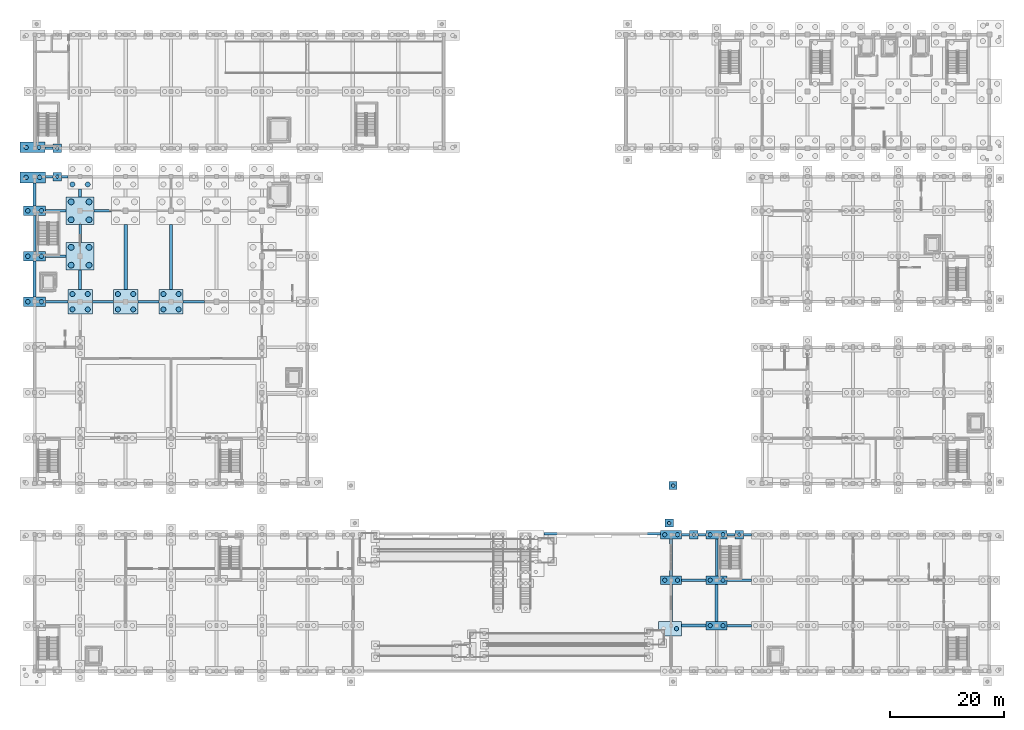
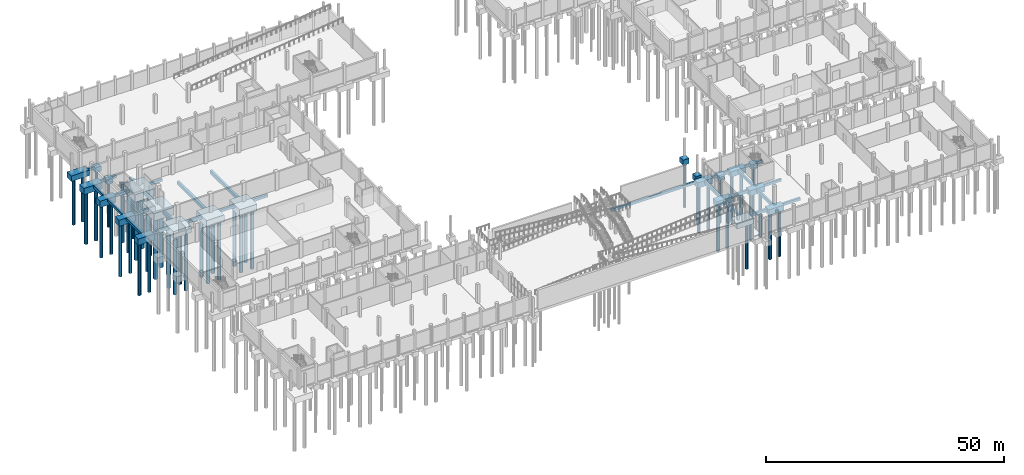
# One storey, part 5 of 52: 53 footings, 49 piles.
"""IFC4 building model written with IfcOpenShell, lengths in metres."""

from ifc_helpers import new_model, si_unit, direction, frame, origin, origin_2d, place, context, subcontext, project, spatial, polyline, rectangle, circle, outline, extrude, material, material_profile, profile_set, type_object, element, save


model = new_model("IFC4")

# Units and contexts
model_context = context("Model", 3, precision=1e-05, world=origin(), true_north=direction((0.0, 1.0)))
body_context = subcontext(model_context, "Body", "Model", "MODEL_VIEW")
ifc_project = project(units=[si_unit("LENGTHUNIT", "METRE"), si_unit("AREAUNIT", "SQUARE_METRE"), si_unit("VOLUMEUNIT", "CUBIC_METRE"), si_unit("PLANEANGLEUNIT", "RADIAN"), si_unit("MASSUNIT", "GRAM", prefix="KILO")], contexts=[model_context])

# Site, building, storey
site_placement = place(None, origin())
site = spatial("IfcSite", under=ifc_project, at=site_placement, CompositionType="ELEMENT")
building_placement = place(site_placement, origin())
building = spatial("IfcBuilding", under=site, at=building_placement, Name="Luwemba Playhouse", CompositionType="ELEMENT")
storey_placement = place(building_placement, frame((0.0, 0.0, -4.800048828125)))
storey = spatial("IfcBuildingStorey", under=building, at=storey_placement, Name="B1", CompositionType="ELEMENT", Elevation=-4.800048828125)

# Footings
ifc_material = material(Name="Concrete C32/40", Category="concrete")
ifc_material_profile_1 = material_profile(ifc_material, rectangle(XDim=0.449951171875, YDim=0.64990234375, at=origin_2d()))
ifc_profile_set_1 = profile_set([ifc_material_profile_1], Name="Concrete C32/40")
footing_type_1 = type_object("IfcFootingType", Name="FTBM-GB1", PredefinedType="FOOTING_BEAM", material=ifc_profile_set_1)
for number, where, z_axis, x_axis, name in (
    (1, (125.85009765625, 11.0, -0.704833984375), (1.0, 0.0, 0.0), (0.0, 1.0, 0.0), "Ground tie-beam 037"),
    (2, (125.85009765625, 19.0, -0.704833984375), (1.0, 0.0, 0.0), (0.0, 1.0, 0.0), "Ground tie-beam 051"),
):
    element("IfcFooting", number, at=place(storey_placement, frame(where, z_axis=z_axis, x_axis=x_axis)), inside=storey, type_object=footing_type_1, Name=name, PredefinedType="FOOTING_BEAM", context=body_context, shape_type="SweptSolid", body=[
        extrude(rectangle(XDim=0.449951171875, YDim=0.64990234375, at=origin_2d()), origin(), (0.0, 0.0, 1.0), 4.2998046875),
    ])
for number, where, z_axis, x_axis, name in (
    (3, (117.85009765625, 27.0, -0.704833984375), (1.0, 0.0, 0.0), (0.0, 1.0, 0.0), "Ground tie-beam 071"),
    (4, (125.85009765625, 27.0, -0.704833984375), (1.0, 0.0, 0.0), (0.0, 1.0, 0.0), "Ground tie-beam 073"),
):
    element("IfcFooting", number, at=place(storey_placement, frame(where, z_axis=z_axis, x_axis=x_axis)), inside=storey, type_object=footing_type_1, Name=name, PredefinedType="FOOTING_BEAM", context=body_context, shape_type="SweptSolid", body=[
        extrude(rectangle(XDim=0.449951171875, YDim=0.64990234375, at=origin_2d()), origin(), (0.0, 0.0, 1.0), 1.4248046875),
    ])
footing_1_placement = place(storey_placement, frame((5.949951171875, 68.0, -0.704833984375), z_axis=(1.0, 0.0, 0.0), x_axis=(0.0, 1.0, 0.0)))
element("IfcFooting", 5, at=footing_1_placement, inside=storey, type_object=footing_type_1, Name="Ground tie-beam 137", PredefinedType="FOOTING_BEAM", context=body_context, shape_type="SweptSolid", body=[
    extrude(rectangle(XDim=0.449951171875, YDim=0.64990234375, at=origin_2d()), origin(), (0.0, 0.0, 1.0), 3.900146484375),
])
footing_2_placement = place(storey_placement, frame((22.14990234375, 68.0, -0.704833984375), z_axis=(1.0, 0.0, 0.0), x_axis=(0.0, 1.0, 0.0)))
element("IfcFooting", 6, at=footing_2_placement, inside=storey, type_object=footing_type_1, Name="Ground tie-beam 139", PredefinedType="FOOTING_BEAM", context=body_context, shape_type="SweptSolid", body=[
    extrude(rectangle(XDim=0.449951171875, YDim=0.64990234375, at=origin_2d()), origin(), (0.0, 0.0, 1.0), 3.7001953125),
])
footing_3_placement = place(storey_placement, frame((5.949951171875, 76.0, -0.704833984375), z_axis=(1.0, 0.0, 0.0), x_axis=(0.0, 1.0, 0.0)))
element("IfcFooting", 7, at=footing_3_placement, inside=storey, type_object=footing_type_1, Name="Ground tie-beam 153", PredefinedType="FOOTING_BEAM", context=body_context, shape_type="SweptSolid", body=[
    extrude(rectangle(XDim=0.449951171875, YDim=0.64990234375, at=origin_2d()), origin(), (0.0, 0.0, 1.0), 3.60009765625),
])
footing_4_placement = place(storey_placement, frame((14.449951171875, 84.0, -0.704833984375), z_axis=(1.0, 0.0, 0.0), x_axis=(0.0, 1.0, 0.0)))
element("IfcFooting", 8, at=footing_4_placement, inside=storey, type_object=footing_type_1, Name="Ground tie-beam 161", PredefinedType="FOOTING_BEAM", context=body_context, shape_type="SweptSolid", body=[
    extrude(rectangle(XDim=0.449951171875, YDim=0.64990234375, at=origin_2d()), origin(), (0.0, 0.0, 1.0), 3.10009765625),
])
footing_5_placement = place(storey_placement, frame((5.949951171875, 90.0, -0.704833984375), z_axis=(1.0, 0.0, 0.0), x_axis=(0.0, 1.0, 0.0)))
element("IfcFooting", 9, at=footing_5_placement, inside=storey, type_object=footing_type_1, Name="Ground tie-beam 171", PredefinedType="FOOTING_BEAM", context=body_context, shape_type="SweptSolid", body=[
    extrude(rectangle(XDim=0.449951171875, YDim=0.64990234375, at=origin_2d()), origin(), (0.0, 0.0, 1.0), 1.324951171875),
])
footing_6_placement = place(storey_placement, frame((5.85009765625, 95.0, -0.704833984375), z_axis=(1.0, 0.0, 0.0), x_axis=(0.0, 1.0, 0.0)))
element("IfcFooting", 10, at=footing_6_placement, inside=storey, type_object=footing_type_1, Name="Ground tie-beam 191", PredefinedType="FOOTING_BEAM", context=body_context, shape_type="SweptSolid", body=[
    extrude(rectangle(XDim=0.449951171875, YDim=0.64990234375, at=origin_2d()), origin(), (0.0, 0.0, 1.0), 1.4248046875),
])
footing_7_placement = place(storey_placement, frame((4.0, 76.824951171875, -0.704833984375), z_axis=(0.0, 1.0, 0.0), x_axis=(-1.0, 0.0, 0.0)))
element("IfcFooting", 11, at=footing_7_placement, inside=storey, type_object=footing_type_1, Name="Ground tie-beam 277", PredefinedType="FOOTING_BEAM", context=body_context, shape_type="SweptSolid", body=[
    extrude(rectangle(XDim=0.449951171875, YDim=0.64990234375, at=origin_2d()), origin(), (0.0, 0.0, 1.0), 6.35009765625),
])
footing_8_placement = place(storey_placement, frame((12.0, 78.449951171875, -0.704833984375), z_axis=(0.0, 1.0, 0.0), x_axis=(-1.0, 0.0, 0.0)))
element("IfcFooting", 12, at=footing_8_placement, inside=storey, type_object=footing_type_1, Name="Ground tie-beam 289", PredefinedType="FOOTING_BEAM", context=body_context, shape_type="SweptSolid", body=[
    extrude(rectangle(XDim=0.449951171875, YDim=0.64990234375, at=origin_2d()), origin(), (0.0, 0.0, 1.0), 3.10009765625),
])
for number, where, z_axis, x_axis, name in (
    (13, (116.0, 11.77490234375, -0.704833984375), (0.0, 1.0, 0.0), (-1.0, 0.0, 0.0), "Ground tie-beam 353"),
    (14, (124.0, 19.77490234375, -0.704833984375), (0.0, 1.0, 0.0), (-1.0, 0.0, 0.0), "Ground tie-beam 359"),
):
    element("IfcFooting", number, at=place(storey_placement, frame(where, z_axis=z_axis, x_axis=x_axis)), inside=storey, type_object=footing_type_1, Name=name, PredefinedType="FOOTING_BEAM", context=body_context, shape_type="SweptSolid", body=[
        extrude(rectangle(XDim=0.449951171875, YDim=0.64990234375, at=origin_2d()), origin(), (0.0, 0.0, 1.0), 6.4501953125),
    ])
footing_9_placement = place(storey_placement, frame((93.625, 27.14990234375, -0.704833984375), z_axis=(1.0, 0.0, 0.0), x_axis=(0.0, 1.0, 0.0)))
element("IfcFooting", 15, at=footing_9_placement, inside=storey, type_object=footing_type_1, Name="B1 Sunken Metro Forecourt north retaining wall footing beam 2", PredefinedType="FOOTING_BEAM", context=body_context, shape_type="SweptSolid", body=[
    extrude(rectangle(XDim=0.449951171875, YDim=0.64990234375, at=origin_2d()), origin(), (0.0, 0.0, 1.0), 20.52490234375),
])
ifc_material_profile_2 = material_profile(ifc_material, rectangle(XDim=0.5, YDim=0.699951171875, at=origin_2d()))
ifc_profile_set_2 = profile_set([ifc_material_profile_2], Name="Concrete C32/40")
footing_type_2 = type_object("IfcFootingType", Name="FTBM-GB2", PredefinedType="FOOTING_BEAM", material=ifc_profile_set_2)
for number, where, z_axis, x_axis, name in (
    (16, (117.85009765625, 11.0, -0.72998046875), (1.0, 0.0, 0.0), (0.0, 1.0, 0.0), "Ground tie-beam 036"),
    (17, (117.85009765625, 19.0, -0.72998046875), (1.0, 0.0, 0.0), (0.0, 1.0, 0.0), "Ground tie-beam 050"),
):
    element("IfcFooting", number, at=place(storey_placement, frame(where, z_axis=z_axis, x_axis=x_axis)), inside=storey, type_object=footing_type_2, Name=name, PredefinedType="FOOTING_BEAM", context=body_context, shape_type="SweptSolid", body=[
        extrude(rectangle(XDim=0.5, YDim=0.699951171875, at=origin_2d()), origin(), (0.0, 0.0, 1.0), 4.2998046875),
    ])
for number, where, z_axis, x_axis, name in (
    (18, (120.72509765625, 27.0, -0.72998046875), (1.0, 0.0, 0.0), (0.0, 1.0, 0.0), "Ground tie-beam 072"),
    (19, (128.72509765625, 27.0, -0.72998046875), (1.0, 0.0, 0.0), (0.0, 1.0, 0.0), "Ground tie-beam 074"),
):
    element("IfcFooting", number, at=place(storey_placement, frame(where, z_axis=z_axis, x_axis=x_axis)), inside=storey, type_object=footing_type_2, Name=name, PredefinedType="FOOTING_BEAM", context=body_context, shape_type="SweptSolid", body=[
        extrude(rectangle(XDim=0.5, YDim=0.699951171875, at=origin_2d()), origin(), (0.0, 0.0, 1.0), 1.4248046875),
    ])
for number, where, z_axis, x_axis, name in (
    (20, (14.14990234375, 68.0, -0.72998046875), (1.0, 0.0, 0.0), (0.0, 1.0, 0.0), "Ground tie-beam 138"),
    (21, (30.14990234375, 68.0, -0.72998046875), (1.0, 0.0, 0.0), (0.0, 1.0, 0.0), "Ground tie-beam 140"),
):
    element("IfcFooting", number, at=place(storey_placement, frame(where, z_axis=z_axis, x_axis=x_axis)), inside=storey, type_object=footing_type_2, Name=name, PredefinedType="FOOTING_BEAM", context=body_context, shape_type="SweptSolid", body=[
        extrude(rectangle(XDim=0.5, YDim=0.699951171875, at=origin_2d()), origin(), (0.0, 0.0, 1.0), 3.7001953125),
    ])
footing_10_placement = place(storey_placement, frame((5.949951171875, 84.0, -0.72998046875), z_axis=(1.0, 0.0, 0.0), x_axis=(0.0, 1.0, 0.0)))
element("IfcFooting", 22, at=footing_10_placement, inside=storey, type_object=footing_type_2, Name="Ground tie-beam 160", PredefinedType="FOOTING_BEAM", context=body_context, shape_type="SweptSolid", body=[
    extrude(rectangle(XDim=0.5, YDim=0.699951171875, at=origin_2d()), origin(), (0.0, 0.0, 1.0), 3.60009765625),
])
footing_11_placement = place(storey_placement, frame((8.72509765625, 90.0, -0.72998046875), z_axis=(1.0, 0.0, 0.0), x_axis=(0.0, 1.0, 0.0)))
element("IfcFooting", 23, at=footing_11_placement, inside=storey, type_object=footing_type_2, Name="Ground tie-beam 172", PredefinedType="FOOTING_BEAM", context=body_context, shape_type="SweptSolid", body=[
    extrude(rectangle(XDim=0.5, YDim=0.699951171875, at=origin_2d()), origin(), (0.0, 0.0, 1.0), 1.125),
])
footing_12_placement = place(storey_placement, frame((4.0, 68.824951171875, -0.72998046875), z_axis=(0.0, 1.0, 0.0), x_axis=(-1.0, 0.0, 0.0)))
element("IfcFooting", 24, at=footing_12_placement, inside=storey, type_object=footing_type_2, Name="Ground tie-beam 276", PredefinedType="FOOTING_BEAM", context=body_context, shape_type="SweptSolid", body=[
    extrude(rectangle(XDim=0.5, YDim=0.699951171875, at=origin_2d()), origin(), (0.0, 0.0, 1.0), 6.35009765625),
])
footing_13_placement = place(storey_placement, frame((4.0, 84.824951171875, -0.72998046875), z_axis=(0.0, 1.0, 0.0), x_axis=(-1.0, 0.0, 0.0)))
element("IfcFooting", 25, at=footing_13_placement, inside=storey, type_object=footing_type_2, Name="Ground tie-beam 278", PredefinedType="FOOTING_BEAM", context=body_context, shape_type="SweptSolid", body=[
    extrude(rectangle(XDim=0.5, YDim=0.699951171875, at=origin_2d()), origin(), (0.0, 0.0, 1.0), 4.10009765625),
])
footing_14_placement = place(storey_placement, frame((12.0, 70.14990234375, -0.72998046875), z_axis=(0.0, 1.0, 0.0), x_axis=(-1.0, 0.0, 0.0)))
element("IfcFooting", 26, at=footing_14_placement, inside=storey, type_object=footing_type_2, Name="Ground tie-beam 288", PredefinedType="FOOTING_BEAM", context=body_context, shape_type="SweptSolid", body=[
    extrude(rectangle(XDim=0.5, YDim=0.699951171875, at=origin_2d()), origin(), (0.0, 0.0, 1.0), 3.400146484375),
])
footing_15_placement = place(storey_placement, frame((12.0, 86.449951171875, -0.72998046875), z_axis=(0.0, 1.0, 0.0), x_axis=(-1.0, 0.0, 0.0)))
element("IfcFooting", 27, at=footing_15_placement, inside=storey, type_object=footing_type_2, Name="Ground tie-beam 290", PredefinedType="FOOTING_BEAM", context=body_context, shape_type="SweptSolid", body=[
    extrude(rectangle(XDim=0.5, YDim=0.699951171875, at=origin_2d()), origin(), (0.0, 0.0, 1.0), 1.400146484375),
])
for number, where, z_axis, x_axis, name in (
    (28, (116.0, 19.77490234375, -0.72998046875), (0.0, 1.0, 0.0), (-1.0, 0.0, 0.0), "Ground tie-beam 354"),
    (29, (124.0, 11.77490234375, -0.72998046875), (0.0, 1.0, 0.0), (-1.0, 0.0, 0.0), "Ground tie-beam 358"),
):
    element("IfcFooting", number, at=place(storey_placement, frame(where, z_axis=z_axis, x_axis=x_axis)), inside=storey, type_object=footing_type_2, Name=name, PredefinedType="FOOTING_BEAM", context=body_context, shape_type="SweptSolid", body=[
        extrude(rectangle(XDim=0.5, YDim=0.699951171875, at=origin_2d()), origin(), (0.0, 0.0, 1.0), 6.4501953125),
    ])
ifc_material_profile_3 = material_profile(ifc_material, rectangle(XDim=0.60009765625, YDim=0.800048828125, at=origin_2d()))
ifc_profile_set_3 = profile_set([ifc_material_profile_3], Name="Concrete C32/40")
footing_type_3 = type_object("IfcFootingType", Name="FTBM-GB3", PredefinedType="FOOTING_BEAM", material=ifc_profile_set_3)
for number, where, z_axis, x_axis, name in (
    (30, (20.0, 70.14990234375, -0.780029296875), (0.0, 1.0, 0.0), (-1.0, 0.0, 0.0), "Ground tie-beam 297"),
    (31, (28.0, 70.14990234375, -0.780029296875), (0.0, 1.0, 0.0), (-1.0, 0.0, 0.0), "Ground tie-beam 305"),
):
    element("IfcFooting", number, at=place(storey_placement, frame(where, z_axis=z_axis, x_axis=x_axis)), inside=storey, type_object=footing_type_3, Name=name, PredefinedType="FOOTING_BEAM", context=body_context, shape_type="SweptSolid", body=[
        extrude(rectangle(XDim=0.60009765625, YDim=0.800048828125, at=origin_2d()), origin(), (0.0, 0.0, 1.0), 11.400146484375),
    ])
footing_type_4 = type_object("IfcFootingType", Name="FTG-PC02", PredefinedType="PILE_CAP", material=ifc_material)
footing_16_placement = place(storey_placement, frame((0.0, 0.0, -1.679931640625)))
element("IfcFooting", 32, at=footing_16_placement, inside=storey, type_object=footing_type_4, Name="Pile cap 115", PredefinedType="PILE_CAP", context=body_context, shape_type="SweptSolid", body=[
    extrude(outline(polyline([(119.27490234375, 26.27490234375), (120.72509765625, 26.27490234375), (120.72509765625, 27.72509765625), (119.27490234375, 27.72509765625), (119.27490234375, 26.27490234375)])), origin(), (0.0, 0.0, 1.0), 1.300048828125),
])
footing_17_placement = place(storey_placement, frame((0.0, 0.0, -1.679931640625)))
element("IfcFooting", 33, at=footing_17_placement, inside=storey, type_object=footing_type_4, Name="Pile cap 116", PredefinedType="PILE_CAP", context=body_context, shape_type="SweptSolid", body=[
    extrude(outline(polyline([(127.27490234375, 26.27490234375), (128.72509765625, 26.27490234375), (128.72509765625, 27.72509765625), (127.27490234375, 27.72509765625), (127.27490234375, 26.27490234375)])), origin(), (0.0, 0.0, 1.0), 1.300048828125),
])
footing_18_placement = place(storey_placement, frame((0.0, 0.0, -1.679931640625)))
element("IfcFooting", 34, at=footing_18_placement, inside=storey, type_object=footing_type_4, Name="Pile cap 124", PredefinedType="PILE_CAP", context=body_context, shape_type="SweptSolid", body=[
    extrude(outline(polyline([(114.925048828125, 28.324951171875), (116.375, 28.324951171875), (116.375, 29.77490234375), (114.925048828125, 29.77490234375), (114.925048828125, 28.324951171875)])), origin(), (0.0, 0.0, 1.0), 1.300048828125),
])
footing_19_placement = place(storey_placement, frame((0.0, 0.0, -1.679931640625)))
element("IfcFooting", 35, at=footing_19_placement, inside=storey, type_object=footing_type_4, Name="Pile cap 132", PredefinedType="PILE_CAP", context=body_context, shape_type="SweptSolid", body=[
    extrude(outline(polyline([(115.625, 34.925048828125), (117.074951171875, 34.925048828125), (117.074951171875, 36.375), (115.625, 36.375), (115.625, 34.925048828125)])), origin(), (0.0, 0.0, 1.0), 1.300048828125),
])
footing_20_placement = place(storey_placement, frame((0.0, 0.0, -1.679931640625)))
element("IfcFooting", 36, at=footing_20_placement, inside=storey, type_object=footing_type_4, Name="Pile cap 247", PredefinedType="PILE_CAP", context=body_context, shape_type="SweptSolid", body=[
    extrude(outline(polyline([(7.27490234375, 89.27490234375), (8.72509765625, 89.27490234375), (8.72509765625, 90.72509765625), (7.27490234375, 90.72509765625), (7.27490234375, 89.27490234375)])), origin(), (0.0, 0.0, 1.0), 1.300048828125),
])
footing_21_placement = place(storey_placement, frame((0.0, 0.0, -1.679931640625)))
element("IfcFooting", 37, at=footing_21_placement, inside=storey, type_object=footing_type_4, Name="Pile cap 276", PredefinedType="PILE_CAP", context=body_context, shape_type="SweptSolid", body=[
    extrude(outline(polyline([(7.27490234375, 94.27490234375), (8.72509765625, 94.27490234375), (8.72509765625, 95.72509765625), (7.27490234375, 95.72509765625), (7.27490234375, 94.27490234375)])), origin(), (0.0, 0.0, 1.0), 1.300048828125),
])
footing_type_5 = type_object("IfcFootingType", Name="FTG-PC04", PredefinedType="PILE_CAP", material=ifc_material)
footing_22_placement = place(storey_placement, frame((0.0, 0.0, -1.97998046875)))
element("IfcFooting", 38, at=footing_22_placement, inside=storey, type_object=footing_type_5, Name="Pile cap 199", PredefinedType="PILE_CAP", context=body_context, shape_type="SweptSolid", body=[
    extrude(outline(polyline([(2.050048828125, 67.175048828125), (5.949951171875, 67.175048828125), (5.949951171875, 68.824951171875), (2.050048828125, 68.824951171875), (2.050048828125, 67.175048828125)])), origin(), (0.0, 0.0, 1.0), 1.60009765625),
])
footing_23_placement = place(storey_placement, frame((0.0, 0.0, -1.97998046875)))
element("IfcFooting", 39, at=footing_23_placement, inside=storey, type_object=footing_type_5, Name="Pile cap 214", PredefinedType="PILE_CAP", context=body_context, shape_type="SweptSolid", body=[
    extrude(outline(polyline([(2.050048828125, 75.175048828125), (5.949951171875, 75.175048828125), (5.949951171875, 76.824951171875), (2.050048828125, 76.824951171875), (2.050048828125, 75.175048828125)])), origin(), (0.0, 0.0, 1.0), 1.60009765625),
])
footing_24_placement = place(storey_placement, frame((0.0, 0.0, -1.97998046875)))
element("IfcFooting", 40, at=footing_24_placement, inside=storey, type_object=footing_type_5, Name="Pile cap 228", PredefinedType="PILE_CAP", context=body_context, shape_type="SweptSolid", body=[
    extrude(outline(polyline([(2.050048828125, 83.175048828125), (5.949951171875, 83.175048828125), (5.949951171875, 84.824951171875), (2.050048828125, 84.824951171875), (2.050048828125, 83.175048828125)])), origin(), (0.0, 0.0, 1.0), 1.60009765625),
])
footing_type_6 = type_object("IfcFootingType", Name="FTG-PC05", PredefinedType="PILE_CAP", material=ifc_material)
footing_25_placement = place(storey_placement, frame((0.0, 0.0, -1.780029296875)))
element("IfcFooting", 41, at=footing_25_placement, inside=storey, type_object=footing_type_6, Name="Pile cap 055", PredefinedType="PILE_CAP", context=body_context, shape_type="SweptSolid", body=[
    extrude(outline(polyline([(122.14990234375, 10.22509765625), (125.85009765625, 10.22509765625), (125.85009765625, 11.77490234375), (122.14990234375, 11.77490234375), (122.14990234375, 10.22509765625)])), origin(), (0.0, 0.0, 1.0), 1.400146484375),
])
footing_26_placement = place(storey_placement, frame((0.0, 0.0, -1.780029296875)))
element("IfcFooting", 42, at=footing_26_placement, inside=storey, type_object=footing_type_6, Name="Pile cap 074", PredefinedType="PILE_CAP", context=body_context, shape_type="SweptSolid", body=[
    extrude(outline(polyline([(114.14990234375, 18.22509765625), (117.85009765625, 18.22509765625), (117.85009765625, 19.77490234375), (114.14990234375, 19.77490234375), (114.14990234375, 18.22509765625)])), origin(), (0.0, 0.0, 1.0), 1.400146484375),
])
footing_27_placement = place(storey_placement, frame((0.0, 0.0, -1.780029296875)))
element("IfcFooting", 43, at=footing_27_placement, inside=storey, type_object=footing_type_6, Name="Pile cap 075", PredefinedType="PILE_CAP", context=body_context, shape_type="SweptSolid", body=[
    extrude(outline(polyline([(122.14990234375, 18.22509765625), (125.85009765625, 18.22509765625), (125.85009765625, 19.77490234375), (122.14990234375, 19.77490234375), (122.14990234375, 18.22509765625)])), origin(), (0.0, 0.0, 1.0), 1.400146484375),
])
footing_28_placement = place(storey_placement, frame((0.0, 0.0, -1.780029296875)))
element("IfcFooting", 44, at=footing_28_placement, inside=storey, type_object=footing_type_6, Name="Pile cap 101", PredefinedType="PILE_CAP", context=body_context, shape_type="SweptSolid", body=[
    extrude(outline(polyline([(114.14990234375, 26.22509765625), (117.85009765625, 26.22509765625), (117.85009765625, 27.77490234375), (114.14990234375, 27.77490234375), (114.14990234375, 26.22509765625)])), origin(), (0.0, 0.0, 1.0), 1.400146484375),
])
footing_29_placement = place(storey_placement, frame((0.0, 0.0, -1.780029296875)))
element("IfcFooting", 45, at=footing_29_placement, inside=storey, type_object=footing_type_6, Name="Pile cap 102", PredefinedType="PILE_CAP", context=body_context, shape_type="SweptSolid", body=[
    extrude(outline(polyline([(122.14990234375, 26.22509765625), (125.85009765625, 26.22509765625), (125.85009765625, 27.77490234375), (122.14990234375, 27.77490234375), (122.14990234375, 26.22509765625)])), origin(), (0.0, 0.0, 1.0), 1.400146484375),
])
footing_type_7 = type_object("IfcFootingType", Name="FTG-PC06", PredefinedType="PILE_CAP", material=ifc_material)
footing_30_placement = place(storey_placement, frame((0.0, 0.0, -1.780029296875)))
element("IfcFooting", 46, at=footing_30_placement, inside=storey, type_object=footing_type_7, Name="Pile cap 265", PredefinedType="PILE_CAP", context=body_context, shape_type="SweptSolid", body=[
    extrude(outline(polyline([(1.425048828125, 94.22509765625), (5.85009765625, 94.22509765625), (5.85009765625, 96.074951171875), (1.425048828125, 96.074951171875), (1.425048828125, 94.22509765625)])), origin(), (0.0, 0.0, 1.0), 1.400146484375),
])
footing_type_8 = type_object("IfcFootingType", Name="FTG-PC13", PredefinedType="PILE_CAP", material=ifc_material)
footing_31_placement = place(storey_placement, frame((0.0, 0.0, -1.780029296875)))
element("IfcFooting", 47, at=footing_31_placement, inside=storey, type_object=footing_type_8, Name="Pile cap 049", PredefinedType="PILE_CAP", context=body_context, shape_type="SweptSolid", body=[
    extrude(outline(polyline([(113.77490234375, 9.175048828125), (117.85009765625, 9.175048828125), (117.85009765625, 11.77490234375), (113.77490234375, 11.77490234375), (113.77490234375, 9.175048828125)])), origin(), (0.0, 0.0, 1.0), 1.400146484375),
])
footing_type_9 = type_object("IfcFootingType", Name="FTG-PC18", PredefinedType="PILE_CAP", material=ifc_material)
footing_32_placement = place(storey_placement, frame((0.0, 0.0, -1.97998046875)))
element("IfcFooting", 48, at=footing_32_placement, inside=storey, type_object=footing_type_9, Name="Pile cap 241", PredefinedType="PILE_CAP", context=body_context, shape_type="SweptSolid", body=[
    extrude(outline(polyline([(1.425048828125, 88.925048828125), (5.949951171875, 88.925048828125), (5.949951171875, 90.824951171875), (1.425048828125, 90.824951171875), (1.425048828125, 88.925048828125)])), origin(), (0.0, 0.0, 1.0), 1.60009765625),
])
footing_type_10 = type_object("IfcFootingType", Name="FTG-PC21", PredefinedType="PILE_CAP", material=ifc_material)
footing_33_placement = place(storey_placement, frame((0.0, 0.0, -2.1298828125)))
element("IfcFooting", 49, at=footing_33_placement, inside=storey, type_object=footing_type_10, Name="Pile cap 191", PredefinedType="PILE_CAP", context=body_context, shape_type="SweptSolid", body=[
    extrude(outline(polyline([(9.85009765625, 65.85009765625), (14.14990234375, 65.85009765625), (14.14990234375, 70.14990234375), (9.85009765625, 70.14990234375), (9.85009765625, 65.85009765625)])), origin(), (0.0, 0.0, 1.0), 1.75),
])
footing_34_placement = place(storey_placement, frame((0.0, 0.0, -2.1298828125)))
element("IfcFooting", 50, at=footing_34_placement, inside=storey, type_object=footing_type_10, Name="Pile cap 192", PredefinedType="PILE_CAP", context=body_context, shape_type="SweptSolid", body=[
    extrude(outline(polyline([(17.85009765625, 65.85009765625), (22.14990234375, 65.85009765625), (22.14990234375, 70.14990234375), (17.85009765625, 70.14990234375), (17.85009765625, 65.85009765625)])), origin(), (0.0, 0.0, 1.0), 1.75),
])
footing_35_placement = place(storey_placement, frame((0.0, 0.0, -2.1298828125)))
element("IfcFooting", 51, at=footing_35_placement, inside=storey, type_object=footing_type_10, Name="Pile cap 193", PredefinedType="PILE_CAP", context=body_context, shape_type="SweptSolid", body=[
    extrude(outline(polyline([(25.85009765625, 65.85009765625), (30.14990234375, 65.85009765625), (30.14990234375, 70.14990234375), (25.85009765625, 70.14990234375), (25.85009765625, 65.85009765625)])), origin(), (0.0, 0.0, 1.0), 1.75),
])
footing_type_11 = type_object("IfcFootingType", Name="FTG-PC22", PredefinedType="PILE_CAP", material=ifc_material)
footing_36_placement = place(storey_placement, frame((0.0, 0.0, -2.280029296875)))
element("IfcFooting", 52, at=footing_36_placement, inside=storey, type_object=footing_type_11, Name="Pile cap 210", PredefinedType="PILE_CAP", context=body_context, shape_type="SweptSolid", body=[
    extrude(outline(polyline([(9.550048828125, 73.550048828125), (14.449951171875, 73.550048828125), (14.449951171875, 78.449951171875), (9.550048828125, 78.449951171875), (9.550048828125, 73.550048828125)])), origin(), (0.0, 0.0, 1.0), 1.900146484375),
])
footing_37_placement = place(storey_placement, frame((0.0, 0.0, -2.280029296875)))
element("IfcFooting", 53, at=footing_37_placement, inside=storey, type_object=footing_type_11, Name="Pile cap 220", PredefinedType="PILE_CAP", context=body_context, shape_type="SweptSolid", body=[
    extrude(outline(polyline([(9.550048828125, 81.550048828125), (14.449951171875, 81.550048828125), (14.449951171875, 86.449951171875), (9.550048828125, 86.449951171875), (9.550048828125, 81.550048828125)])), origin(), (0.0, 0.0, 1.0), 1.900146484375),
])

# Piles
ifc_material_profile_4 = material_profile(ifc_material, circle(Radius=0.300048828125, at=origin_2d()))
ifc_profile_set_4 = profile_set([ifc_material_profile_4], Name="Concrete C32/40")
pile_type_1 = type_object("IfcPileType", Name="PILE-BP1", PredefinedType="BORED", material=ifc_profile_set_4)
for number, where, z_axis, x_axis, name in (
    (54, (120.0, 27.0, -1.579833984375), (0.0, 0.0, -1.0), (1.0, 0.0, 0.0), "Bored pile 187"),
    (55, (128.0, 27.0, -1.579833984375), (0.0, 0.0, -1.0), (1.0, 0.0, 0.0), "Bored pile 188"),
    (56, (115.64990234375, 29.050048828125, -1.579833984375), (0.0, 0.0, -1.0), (1.0, 0.0, 0.0), "Bored pile 196"),
    (57, (116.35009765625, 35.64990234375, -1.579833984375), (0.0, 0.0, -1.0), (1.0, 0.0, 0.0), "Bored pile 210"),
    (58, (8.0, 90.0, -1.579833984375), (0.0, 0.0, -1.0), (1.0, 0.0, 0.0), "Bored pile 448"),
    (59, (8.0, 95.0, -1.579833984375), (0.0, 0.0, -1.0), (1.0, 0.0, 0.0), "Bored pile 508"),
):
    element("IfcPile", number, at=place(storey_placement, frame(where, z_axis=z_axis, x_axis=x_axis)), inside=storey, type_object=pile_type_1, Name=name, PredefinedType="BORED", context=body_context, shape_type="SweptSolid", body=[
        extrude(circle(Radius=0.300048828125, at=origin_2d()), origin(), (0.0, 0.0, 1.0), 11.5),
    ])
ifc_material_profile_5 = material_profile(ifc_material, circle(Radius=0.375, at=origin_2d()))
ifc_profile_set_5 = profile_set([ifc_material_profile_5], Name="Concrete C32/40")
pile_type_2 = type_object("IfcPileType", Name="PILE-BP2", PredefinedType="BORED", material=ifc_profile_set_5)
for number, where, z_axis, x_axis, name in (
    (60, (116.9375, 10.47509765625, -1.679931640625), (0.0, 0.0, -1.0), (1.0, 0.0, 0.0), "Bored pile 071"),
    (61, (122.875, 11.0, -1.679931640625), (0.0, 0.0, -1.0), (1.0, 0.0, 0.0), "Bored pile 082"),
    (62, (125.125, 11.0, -1.679931640625), (0.0, 0.0, -1.0), (1.0, 0.0, 0.0), "Bored pile 083"),
    (63, (114.875, 19.0, -1.679931640625), (0.0, 0.0, -1.0), (1.0, 0.0, 0.0), "Bored pile 116"),
    (64, (117.125, 19.0, -1.679931640625), (0.0, 0.0, -1.0), (1.0, 0.0, 0.0), "Bored pile 117"),
    (65, (122.875, 19.0, -1.679931640625), (0.0, 0.0, -1.0), (1.0, 0.0, 0.0), "Bored pile 118"),
    (66, (125.125, 19.0, -1.679931640625), (0.0, 0.0, -1.0), (1.0, 0.0, 0.0), "Bored pile 119"),
    (67, (114.875, 27.0, -1.679931640625), (0.0, 0.0, -1.0), (1.0, 0.0, 0.0), "Bored pile 166"),
    (68, (117.125, 27.0, -1.679931640625), (0.0, 0.0, -1.0), (1.0, 0.0, 0.0), "Bored pile 167"),
    (69, (122.875, 27.0, -1.679931640625), (0.0, 0.0, -1.0), (1.0, 0.0, 0.0), "Bored pile 168"),
    (70, (125.125, 27.0, -1.679931640625), (0.0, 0.0, -1.0), (1.0, 0.0, 0.0), "Bored pile 169"),
    (71, (2.512451171875, 95.14990234375, -1.679931640625), (0.0, 0.0, -1.0), (1.0, 0.0, 0.0), "Bored pile 486"),
    (72, (4.762451171875, 95.14990234375, -1.679931640625), (0.0, 0.0, -1.0), (1.0, 0.0, 0.0), "Bored pile 487"),
):
    element("IfcPile", number, at=place(storey_placement, frame(where, z_axis=z_axis, x_axis=x_axis)), inside=storey, type_object=pile_type_2, Name=name, PredefinedType="BORED", context=body_context, shape_type="SweptSolid", body=[
        extrude(circle(Radius=0.375, at=origin_2d()), origin(), (0.0, 0.0, 1.0), 12.0),
    ])
ifc_material_profile_6 = material_profile(ifc_material, circle(Radius=0.39990234375, at=origin_2d()))
ifc_profile_set_6 = profile_set([ifc_material_profile_6], Name="Concrete C32/40")
pile_type_3 = type_object("IfcPileType", Name="PILE-BP3", PredefinedType="BORED", material=ifc_profile_set_6)
for number, where, z_axis, x_axis, name in (
    (73, (2.800048828125, 68.0, -1.8798828125), (0.0, 0.0, -1.0), (1.0, 0.0, 0.0), "Bored pile 335"),
    (74, (5.199951171875, 68.0, -1.8798828125), (0.0, 0.0, -1.0), (1.0, 0.0, 0.0), "Bored pile 336"),
    (75, (2.800048828125, 76.0, -1.8798828125), (0.0, 0.0, -1.0), (1.0, 0.0, 0.0), "Bored pile 363"),
    (76, (5.199951171875, 76.0, -1.8798828125), (0.0, 0.0, -1.0), (1.0, 0.0, 0.0), "Bored pile 364"),
    (77, (2.800048828125, 84.0, -1.8798828125), (0.0, 0.0, -1.0), (1.0, 0.0, 0.0), "Bored pile 401"),
    (78, (5.199951171875, 84.0, -1.8798828125), (0.0, 0.0, -1.0), (1.0, 0.0, 0.0), "Bored pile 402"),
    (79, (2.487548828125, 89.875, -1.8798828125), (0.0, 0.0, -1.0), (1.0, 0.0, 0.0), "Bored pile 437"),
    (80, (4.887451171875, 89.875, -1.8798828125), (0.0, 0.0, -1.0), (1.0, 0.0, 0.0), "Bored pile 438"),
):
    element("IfcPile", number, at=place(storey_placement, frame(where, z_axis=z_axis, x_axis=x_axis)), inside=storey, type_object=pile_type_3, Name=name, PredefinedType="BORED", context=body_context, shape_type="SweptSolid", body=[
        extrude(circle(Radius=0.39990234375, at=origin_2d()), origin(), (0.0, 0.0, 1.0), 13.5),
    ])
ifc_material_profile_7 = material_profile(ifc_material, circle(Radius=0.449951171875, at=origin_2d()))
ifc_profile_set_7 = profile_set([ifc_material_profile_7], Name="Concrete C32/40")
pile_type_4 = type_object("IfcPileType", Name="PILE-BP4", PredefinedType="BORED", material=ifc_profile_set_7)
for number, where, z_axis, x_axis, name in (
    (81, (10.64990234375, 66.64990234375, -2.030029296875), (0.0, 0.0, -1.0), (1.0, 0.0, 0.0), "Bored pile 309"),
    (82, (10.64990234375, 69.35009765625, -2.030029296875), (0.0, 0.0, -1.0), (1.0, 0.0, 0.0), "Bored pile 310"),
    (83, (13.35009765625, 66.64990234375, -2.030029296875), (0.0, 0.0, -1.0), (1.0, 0.0, 0.0), "Bored pile 311"),
    (84, (13.35009765625, 69.35009765625, -2.030029296875), (0.0, 0.0, -1.0), (1.0, 0.0, 0.0), "Bored pile 312"),
    (85, (18.64990234375, 66.64990234375, -2.030029296875), (0.0, 0.0, -1.0), (1.0, 0.0, 0.0), "Bored pile 313"),
    (86, (18.64990234375, 69.35009765625, -2.030029296875), (0.0, 0.0, -1.0), (1.0, 0.0, 0.0), "Bored pile 314"),
    (87, (21.35009765625, 66.64990234375, -2.030029296875), (0.0, 0.0, -1.0), (1.0, 0.0, 0.0), "Bored pile 315"),
    (88, (21.35009765625, 69.35009765625, -2.030029296875), (0.0, 0.0, -1.0), (1.0, 0.0, 0.0), "Bored pile 316"),
    (89, (26.64990234375, 66.64990234375, -2.030029296875), (0.0, 0.0, -1.0), (1.0, 0.0, 0.0), "Bored pile 317"),
    (90, (26.64990234375, 69.35009765625, -2.030029296875), (0.0, 0.0, -1.0), (1.0, 0.0, 0.0), "Bored pile 318"),
    (91, (29.35009765625, 66.64990234375, -2.030029296875), (0.0, 0.0, -1.0), (1.0, 0.0, 0.0), "Bored pile 319"),
    (92, (29.35009765625, 69.35009765625, -2.030029296875), (0.0, 0.0, -1.0), (1.0, 0.0, 0.0), "Bored pile 320"),
    (93, (10.64990234375, 88.64990234375, -2.030029296875), (0.0, 0.0, -1.0), (1.0, 0.0, 0.0), "Bored pile 411"),
    (94, (13.35009765625, 88.64990234375, -2.030029296875), (0.0, 0.0, -1.0), (1.0, 0.0, 0.0), "Bored pile 413"),
):
    element("IfcPile", number, at=place(storey_placement, frame(where, z_axis=z_axis, x_axis=x_axis)), inside=storey, type_object=pile_type_4, Name=name, PredefinedType="BORED", context=body_context, shape_type="SweptSolid", body=[
        extrude(circle(Radius=0.449951171875, at=origin_2d()), origin(), (0.0, 0.0, 1.0), 15.0),
    ])
ifc_material_profile_8 = material_profile(ifc_material, circle(Radius=0.52490234375, at=origin_2d()))
ifc_profile_set_8 = profile_set([ifc_material_profile_8], Name="Concrete C32/40")
pile_type_5 = type_object("IfcPileType", Name="PILE-BP5", PredefinedType="BORED", material=ifc_profile_set_8)
for number, where, z_axis, x_axis, name in (
    (95, (10.425048828125, 74.425048828125, -2.179931640625), (0.0, 0.0, -1.0), (1.0, 0.0, 0.0), "Bored pile 351"),
    (96, (10.425048828125, 77.574951171875, -2.179931640625), (0.0, 0.0, -1.0), (1.0, 0.0, 0.0), "Bored pile 352"),
    (97, (13.574951171875, 74.425048828125, -2.179931640625), (0.0, 0.0, -1.0), (1.0, 0.0, 0.0), "Bored pile 353"),
    (98, (13.574951171875, 77.574951171875, -2.179931640625), (0.0, 0.0, -1.0), (1.0, 0.0, 0.0), "Bored pile 354"),
    (99, (10.425048828125, 82.425048828125, -2.179931640625), (0.0, 0.0, -1.0), (1.0, 0.0, 0.0), "Bored pile 375"),
    (100, (10.425048828125, 85.574951171875, -2.179931640625), (0.0, 0.0, -1.0), (1.0, 0.0, 0.0), "Bored pile 376"),
    (101, (13.574951171875, 82.425048828125, -2.179931640625), (0.0, 0.0, -1.0), (1.0, 0.0, 0.0), "Bored pile 377"),
    (102, (13.574951171875, 85.574951171875, -2.179931640625), (0.0, 0.0, -1.0), (1.0, 0.0, 0.0), "Bored pile 378"),
):
    element("IfcPile", number, at=place(storey_placement, frame(where, z_axis=z_axis, x_axis=x_axis)), inside=storey, type_object=pile_type_5, Name=name, PredefinedType="BORED", context=body_context, shape_type="SweptSolid", body=[
        extrude(circle(Radius=0.52490234375, at=origin_2d()), origin(), (0.0, 0.0, 1.0), 15.5),
    ])

save(model, "model.ifc")
